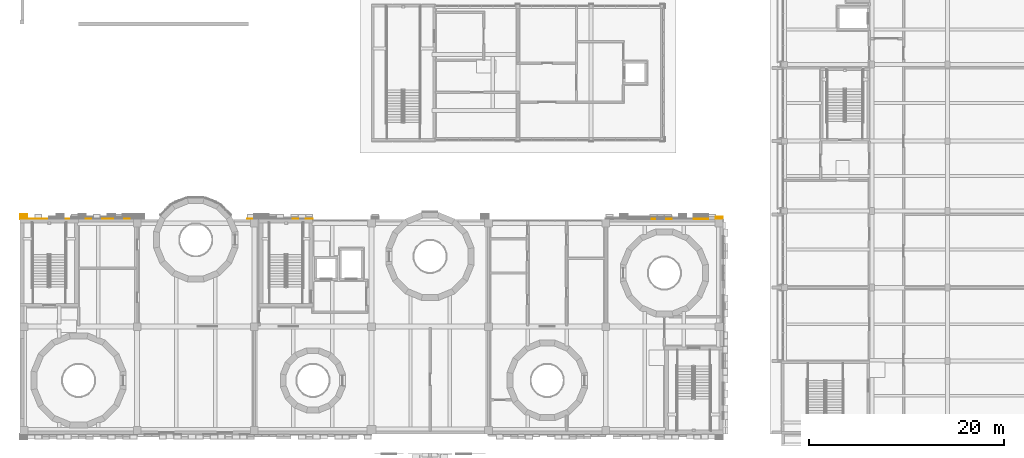
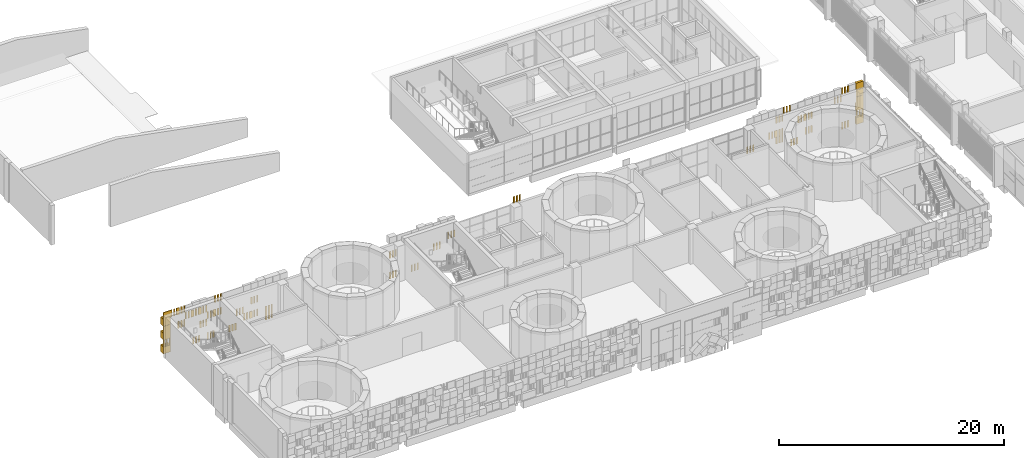
# One storey, part 67 of 92: 1 covering.
"""IFC4 building model written with IfcOpenShell, lengths in metres."""

from ifc_helpers import new_model, si_unit, direction, frame, origin, origin_2d, place, context, subcontext, project, spatial, rectangle, extrude, material, layer, layer_set, type_object, element, save


model = new_model("IFC4")

# Units and contexts
model_context = context("Model", 3, precision=1e-05, world=origin(), true_north=direction((0.0, 1.0)))
body_context = subcontext(model_context, "Body", "Model", "MODEL_VIEW")
ifc_project = project(units=[si_unit("LENGTHUNIT", "METRE"), si_unit("AREAUNIT", "SQUARE_METRE"), si_unit("VOLUMEUNIT", "CUBIC_METRE"), si_unit("PLANEANGLEUNIT", "RADIAN"), si_unit("MASSUNIT", "GRAM", prefix="KILO")], contexts=[model_context])

# Site, building, storey
site_placement = place(None, origin())
site = spatial("IfcSite", under=ifc_project, at=site_placement, CompositionType="ELEMENT")
building_placement = place(site_placement, origin())
building = spatial("IfcBuilding", under=site, at=building_placement, Name="Sun Court Science Centre", CompositionType="ELEMENT")
storey_placement = place(building_placement, frame((0.0, 0.0, 11.25)))
storey = spatial("IfcBuildingStorey", under=building, at=storey_placement, Name="L02", CompositionType="ELEMENT", Elevation=11.25)

# Covering
ifc_material = material(Name="Terracotta jali", Category="masonry")
ifc_layer = layer(ifc_material, 0.06005859375)
ifc_layer_set = layer_set([ifc_layer], Name="Terracotta jali")
covering_type = type_object("IfcCoveringType", Name="Terracotta open jali panel", PredefinedType="CLADDING", material=ifc_layer_set)
covering_placement = place(storey_placement, frame((0.0, 0.0, -11.25)))
element("IfcCovering", 1, at=covering_placement, inside=storey, type_object=covering_type, Name="Open jali pixel cladding north face L02", PredefinedType="CLADDING", context=body_context, shape_type="SweptSolid", body=[
    extrude(rectangle(XDim=0.139892578125, YDim=0.06005859375, at=origin_2d()), frame((3.074951171875, 28.030029296875, 11.2548828125), z_axis=(0.0, 0.0, 1.0), x_axis=(1.0, 0.0, 0.0)), (0.0, 0.0, 1.0), 0.739990234375),
    extrude(rectangle(XDim=0.139892578125, YDim=0.06005859375, at=origin_2d()), frame((3.375, 28.030029296875, 11.2548828125), z_axis=(0.0, 0.0, 1.0), x_axis=(1.0, 0.0, 0.0)), (0.0, 0.0, 1.0), 0.739990234375),
    extrude(rectangle(XDim=0.139892578125, YDim=0.06005859375, at=origin_2d()), frame((3.675048828125, 28.030029296875, 11.2548828125), z_axis=(0.0, 0.0, 1.0), x_axis=(1.0, 0.0, 0.0)), (0.0, 0.0, 1.0), 0.739990234375),
    extrude(rectangle(XDim=0.139892578125, YDim=0.06005859375, at=origin_2d()), frame((4.574951171875, 28.030029296875, 11.2548828125), z_axis=(0.0, 0.0, 1.0), x_axis=(1.0, 0.0, 0.0)), (0.0, 0.0, 1.0), 0.739990234375),
    extrude(rectangle(XDim=0.139892578125, YDim=0.06005859375, at=origin_2d()), frame((4.875, 28.030029296875, 11.2548828125), z_axis=(0.0, 0.0, 1.0), x_axis=(1.0, 0.0, 0.0)), (0.0, 0.0, 1.0), 0.739990234375),
    extrude(rectangle(XDim=0.139892578125, YDim=0.06005859375, at=origin_2d()), frame((5.175048828125, 28.030029296875, 11.2548828125), z_axis=(0.0, 0.0, 1.0), x_axis=(1.0, 0.0, 0.0)), (0.0, 0.0, 1.0), 0.739990234375),
    extrude(rectangle(XDim=0.139892578125, YDim=0.06005859375, at=origin_2d()), frame((6.824951171875, 28.030029296875, 11.2548828125), z_axis=(0.0, 0.0, 1.0), x_axis=(1.0, 0.0, 0.0)), (0.0, 0.0, 1.0), 0.739990234375),
    extrude(rectangle(XDim=0.139892578125, YDim=0.06005859375, at=origin_2d()), frame((7.125, 28.030029296875, 11.2548828125), z_axis=(0.0, 0.0, 1.0), x_axis=(1.0, 0.0, 0.0)), (0.0, 0.0, 1.0), 0.739990234375),
    extrude(rectangle(XDim=0.139892578125, YDim=0.06005859375, at=origin_2d()), frame((7.425048828125, 28.030029296875, 11.2548828125), z_axis=(0.0, 0.0, 1.0), x_axis=(1.0, 0.0, 0.0)), (0.0, 0.0, 1.0), 0.739990234375),
    extrude(rectangle(XDim=0.139892578125, YDim=0.06005859375, at=origin_2d()), frame((10.574951171875, 28.030029296875, 11.2548828125), z_axis=(0.0, 0.0, 1.0), x_axis=(1.0, 0.0, 0.0)), (0.0, 0.0, 1.0), 0.739990234375),
    extrude(rectangle(XDim=0.139892578125, YDim=0.06005859375, at=origin_2d()), frame((10.875, 28.030029296875, 11.2548828125), z_axis=(0.0, 0.0, 1.0), x_axis=(1.0, 0.0, 0.0)), (0.0, 0.0, 1.0), 0.739990234375),
    extrude(rectangle(XDim=0.139892578125, YDim=0.06005859375, at=origin_2d()), frame((11.175048828125, 28.030029296875, 11.2548828125), z_axis=(0.0, 0.0, 1.0), x_axis=(1.0, 0.0, 0.0)), (0.0, 0.0, 1.0), 0.739990234375),
    extrude(rectangle(XDim=0.139892578125, YDim=0.06005859375, at=origin_2d()), frame((23.324951171875, 28.030029296875, 11.2548828125), z_axis=(0.0, 0.0, 1.0), x_axis=(1.0, 0.0, 0.0)), (0.0, 0.0, 1.0), 0.739990234375),
    extrude(rectangle(XDim=0.139892578125, YDim=0.06005859375, at=origin_2d()), frame((23.625, 28.030029296875, 11.2548828125), z_axis=(0.0, 0.0, 1.0), x_axis=(1.0, 0.0, 0.0)), (0.0, 0.0, 1.0), 0.739990234375),
    extrude(rectangle(XDim=0.139892578125, YDim=0.06005859375, at=origin_2d()), frame((23.925048828125, 28.030029296875, 11.2548828125), z_axis=(0.0, 0.0, 1.0), x_axis=(1.0, 0.0, 0.0)), (0.0, 0.0, 1.0), 0.739990234375),
    extrude(rectangle(XDim=0.139892578125, YDim=0.06005859375, at=origin_2d()), frame((25.574951171875, 28.030029296875, 11.2548828125), z_axis=(0.0, 0.0, 1.0), x_axis=(1.0, 0.0, 0.0)), (0.0, 0.0, 1.0), 0.739990234375),
    extrude(rectangle(XDim=0.139892578125, YDim=0.06005859375, at=origin_2d()), frame((25.875, 28.030029296875, 11.2548828125), z_axis=(0.0, 0.0, 1.0), x_axis=(1.0, 0.0, 0.0)), (0.0, 0.0, 1.0), 0.739990234375),
    extrude(rectangle(XDim=0.139892578125, YDim=0.06005859375, at=origin_2d()), frame((26.175048828125, 28.030029296875, 11.2548828125), z_axis=(0.0, 0.0, 1.0), x_axis=(1.0, 0.0, 0.0)), (0.0, 0.0, 1.0), 0.739990234375),
    extrude(rectangle(XDim=0.139892578125, YDim=0.06005859375, at=origin_2d()), frame((64.574951171875, 28.030029296875, 11.2548828125), z_axis=(0.0, 0.0, 1.0), x_axis=(1.0, 0.0, 0.0)), (0.0, 0.0, 1.0), 0.739990234375),
    extrude(rectangle(XDim=0.139892578125, YDim=0.06005859375, at=origin_2d()), frame((64.875, 28.030029296875, 11.2548828125), z_axis=(0.0, 0.0, 1.0), x_axis=(1.0, 0.0, 0.0)), (0.0, 0.0, 1.0), 0.739990234375),
    extrude(rectangle(XDim=0.139892578125, YDim=0.06005859375, at=origin_2d()), frame((65.175048828125, 28.030029296875, 11.2548828125), z_axis=(0.0, 0.0, 1.0), x_axis=(1.0, 0.0, 0.0)), (0.0, 0.0, 1.0), 0.739990234375),
    extrude(rectangle(XDim=0.139892578125, YDim=0.06005859375, at=origin_2d()), frame((69.824951171875, 28.030029296875, 11.2548828125), z_axis=(0.0, 0.0, 1.0), x_axis=(1.0, 0.0, 0.0)), (0.0, 0.0, 1.0), 0.739990234375),
    extrude(rectangle(XDim=0.139892578125, YDim=0.06005859375, at=origin_2d()), frame((70.125, 28.030029296875, 11.2548828125), z_axis=(0.0, 0.0, 1.0), x_axis=(1.0, 0.0, 0.0)), (0.0, 0.0, 1.0), 0.739990234375),
    extrude(rectangle(XDim=0.139892578125, YDim=0.06005859375, at=origin_2d()), frame((70.425048828125, 28.030029296875, 11.2548828125), z_axis=(0.0, 0.0, 1.0), x_axis=(1.0, 0.0, 0.0)), (0.0, 0.0, 1.0), 0.739990234375),
    extrude(rectangle(XDim=0.139892578125, YDim=0.06005859375, at=origin_2d()), frame((0.074951171875, 28.030029296875, 12.0048828125), z_axis=(0.0, 0.0, 1.0), x_axis=(1.0, 0.0, 0.0)), (0.0, 0.0, 1.0), 0.739990234375),
    extrude(rectangle(XDim=0.139892578125, YDim=0.06005859375, at=origin_2d()), frame((0.375, 28.030029296875, 12.0048828125), z_axis=(0.0, 0.0, 1.0), x_axis=(1.0, 0.0, 0.0)), (0.0, 0.0, 1.0), 0.739990234375),
    extrude(rectangle(XDim=0.139892578125, YDim=0.06005859375, at=origin_2d()), frame((0.675048828125, 28.030029296875, 12.0048828125), z_axis=(0.0, 0.0, 1.0), x_axis=(1.0, 0.0, 0.0)), (0.0, 0.0, 1.0), 0.739990234375),
    extrude(rectangle(XDim=0.139892578125, YDim=0.06005859375, at=origin_2d()), frame((8.324951171875, 28.030029296875, 12.0048828125), z_axis=(0.0, 0.0, 1.0), x_axis=(1.0, 0.0, 0.0)), (0.0, 0.0, 1.0), 0.739990234375),
    extrude(rectangle(XDim=0.139892578125, YDim=0.06005859375, at=origin_2d()), frame((8.625, 28.030029296875, 12.0048828125), z_axis=(0.0, 0.0, 1.0), x_axis=(1.0, 0.0, 0.0)), (0.0, 0.0, 1.0), 0.739990234375),
    extrude(rectangle(XDim=0.139892578125, YDim=0.06005859375, at=origin_2d()), frame((8.925048828125, 28.030029296875, 12.0048828125), z_axis=(0.0, 0.0, 1.0), x_axis=(1.0, 0.0, 0.0)), (0.0, 0.0, 1.0), 0.739990234375),
    extrude(rectangle(XDim=0.139892578125, YDim=0.06005859375, at=origin_2d()), frame((9.074951171875, 28.030029296875, 12.0048828125), z_axis=(0.0, 0.0, 1.0), x_axis=(1.0, 0.0, 0.0)), (0.0, 0.0, 1.0), 0.739990234375),
    extrude(rectangle(XDim=0.139892578125, YDim=0.06005859375, at=origin_2d()), frame((9.375, 28.030029296875, 12.0048828125), z_axis=(0.0, 0.0, 1.0), x_axis=(1.0, 0.0, 0.0)), (0.0, 0.0, 1.0), 0.739990234375),
    extrude(rectangle(XDim=0.139892578125, YDim=0.06005859375, at=origin_2d()), frame((9.675048828125, 28.030029296875, 12.0048828125), z_axis=(0.0, 0.0, 1.0), x_axis=(1.0, 0.0, 0.0)), (0.0, 0.0, 1.0), 0.739990234375),
    extrude(rectangle(XDim=0.139892578125, YDim=0.06005859375, at=origin_2d()), frame((10.574951171875, 28.030029296875, 12.0048828125), z_axis=(0.0, 0.0, 1.0), x_axis=(1.0, 0.0, 0.0)), (0.0, 0.0, 1.0), 0.739990234375),
    extrude(rectangle(XDim=0.139892578125, YDim=0.06005859375, at=origin_2d()), frame((10.875, 28.030029296875, 12.0048828125), z_axis=(0.0, 0.0, 1.0), x_axis=(1.0, 0.0, 0.0)), (0.0, 0.0, 1.0), 0.739990234375),
    extrude(rectangle(XDim=0.139892578125, YDim=0.06005859375, at=origin_2d()), frame((11.175048828125, 28.030029296875, 12.0048828125), z_axis=(0.0, 0.0, 1.0), x_axis=(1.0, 0.0, 0.0)), (0.0, 0.0, 1.0), 0.739990234375),
    extrude(rectangle(XDim=0.139892578125, YDim=0.06005859375, at=origin_2d()), frame((60.074951171875, 28.030029296875, 12.0048828125), z_axis=(0.0, 0.0, 1.0), x_axis=(1.0, 0.0, 0.0)), (0.0, 0.0, 1.0), 0.739990234375),
    extrude(rectangle(XDim=0.139892578125, YDim=0.06005859375, at=origin_2d()), frame((60.375, 28.030029296875, 12.0048828125), z_axis=(0.0, 0.0, 1.0), x_axis=(1.0, 0.0, 0.0)), (0.0, 0.0, 1.0), 0.739990234375),
    extrude(rectangle(XDim=0.139892578125, YDim=0.06005859375, at=origin_2d()), frame((60.675048828125, 28.030029296875, 12.0048828125), z_axis=(0.0, 0.0, 1.0), x_axis=(1.0, 0.0, 0.0)), (0.0, 0.0, 1.0), 0.739990234375),
    extrude(rectangle(XDim=0.139892578125, YDim=0.06005859375, at=origin_2d()), frame((63.074951171875, 28.030029296875, 12.0048828125), z_axis=(0.0, 0.0, 1.0), x_axis=(1.0, 0.0, 0.0)), (0.0, 0.0, 1.0), 0.739990234375),
    extrude(rectangle(XDim=0.139892578125, YDim=0.06005859375, at=origin_2d()), frame((63.375, 28.030029296875, 12.0048828125), z_axis=(0.0, 0.0, 1.0), x_axis=(1.0, 0.0, 0.0)), (0.0, 0.0, 1.0), 0.739990234375),
    extrude(rectangle(XDim=0.139892578125, YDim=0.06005859375, at=origin_2d()), frame((63.675048828125, 28.030029296875, 12.0048828125), z_axis=(0.0, 0.0, 1.0), x_axis=(1.0, 0.0, 0.0)), (0.0, 0.0, 1.0), 0.739990234375),
    extrude(rectangle(XDim=0.139892578125, YDim=0.06005859375, at=origin_2d()), frame((66.074951171875, 28.030029296875, 12.0048828125), z_axis=(0.0, 0.0, 1.0), x_axis=(1.0, 0.0, 0.0)), (0.0, 0.0, 1.0), 0.739990234375),
    extrude(rectangle(XDim=0.139892578125, YDim=0.06005859375, at=origin_2d()), frame((66.375, 28.030029296875, 12.0048828125), z_axis=(0.0, 0.0, 1.0), x_axis=(1.0, 0.0, 0.0)), (0.0, 0.0, 1.0), 0.739990234375),
    extrude(rectangle(XDim=0.139892578125, YDim=0.06005859375, at=origin_2d()), frame((66.675048828125, 28.030029296875, 12.0048828125), z_axis=(0.0, 0.0, 1.0), x_axis=(1.0, 0.0, 0.0)), (0.0, 0.0, 1.0), 0.739990234375),
    extrude(rectangle(XDim=0.139892578125, YDim=0.06005859375, at=origin_2d()), frame((71.324951171875, 28.030029296875, 12.0048828125), z_axis=(0.0, 0.0, 1.0), x_axis=(1.0, 0.0, 0.0)), (0.0, 0.0, 1.0), 0.739990234375),
    extrude(rectangle(XDim=0.139892578125, YDim=0.06005859375, at=origin_2d()), frame((71.625, 28.030029296875, 12.0048828125), z_axis=(0.0, 0.0, 1.0), x_axis=(1.0, 0.0, 0.0)), (0.0, 0.0, 1.0), 0.739990234375),
    extrude(rectangle(XDim=0.139892578125, YDim=0.06005859375, at=origin_2d()), frame((71.925048828125, 28.030029296875, 12.0048828125), z_axis=(0.0, 0.0, 1.0), x_axis=(1.0, 0.0, 0.0)), (0.0, 0.0, 1.0), 0.739990234375),
    extrude(rectangle(XDim=0.139892578125, YDim=0.06005859375, at=origin_2d()), frame((3.824951171875, 28.030029296875, 12.7548828125), z_axis=(0.0, 0.0, 1.0), x_axis=(1.0, 0.0, 0.0)), (0.0, 0.0, 1.0), 0.739990234375),
    extrude(rectangle(XDim=0.139892578125, YDim=0.06005859375, at=origin_2d()), frame((4.125, 28.030029296875, 12.7548828125), z_axis=(0.0, 0.0, 1.0), x_axis=(1.0, 0.0, 0.0)), (0.0, 0.0, 1.0), 0.739990234375),
    extrude(rectangle(XDim=0.139892578125, YDim=0.06005859375, at=origin_2d()), frame((4.425048828125, 28.030029296875, 12.7548828125), z_axis=(0.0, 0.0, 1.0), x_axis=(1.0, 0.0, 0.0)), (0.0, 0.0, 1.0), 0.739990234375),
    extrude(rectangle(XDim=0.139892578125, YDim=0.06005859375, at=origin_2d()), frame((7.574951171875, 28.030029296875, 12.7548828125), z_axis=(0.0, 0.0, 1.0), x_axis=(1.0, 0.0, 0.0)), (0.0, 0.0, 1.0), 0.739990234375),
    extrude(rectangle(XDim=0.139892578125, YDim=0.06005859375, at=origin_2d()), frame((7.875, 28.030029296875, 12.7548828125), z_axis=(0.0, 0.0, 1.0), x_axis=(1.0, 0.0, 0.0)), (0.0, 0.0, 1.0), 0.739990234375),
    extrude(rectangle(XDim=0.139892578125, YDim=0.06005859375, at=origin_2d()), frame((8.175048828125, 28.030029296875, 12.7548828125), z_axis=(0.0, 0.0, 1.0), x_axis=(1.0, 0.0, 0.0)), (0.0, 0.0, 1.0), 0.739990234375),
    extrude(rectangle(XDim=0.139892578125, YDim=0.06005859375, at=origin_2d()), frame((27.824951171875, 28.030029296875, 12.7548828125), z_axis=(0.0, 0.0, 1.0), x_axis=(1.0, 0.0, 0.0)), (0.0, 0.0, 1.0), 0.739990234375),
    extrude(rectangle(XDim=0.139892578125, YDim=0.06005859375, at=origin_2d()), frame((28.125, 28.030029296875, 12.7548828125), z_axis=(0.0, 0.0, 1.0), x_axis=(1.0, 0.0, 0.0)), (0.0, 0.0, 1.0), 0.739990234375),
    extrude(rectangle(XDim=0.139892578125, YDim=0.06005859375, at=origin_2d()), frame((28.425048828125, 28.030029296875, 12.7548828125), z_axis=(0.0, 0.0, 1.0), x_axis=(1.0, 0.0, 0.0)), (0.0, 0.0, 1.0), 0.739990234375),
    extrude(rectangle(XDim=0.139892578125, YDim=0.06005859375, at=origin_2d()), frame((62.324951171875, 28.030029296875, 12.7548828125), z_axis=(0.0, 0.0, 1.0), x_axis=(1.0, 0.0, 0.0)), (0.0, 0.0, 1.0), 0.739990234375),
    extrude(rectangle(XDim=0.139892578125, YDim=0.06005859375, at=origin_2d()), frame((62.625, 28.030029296875, 12.7548828125), z_axis=(0.0, 0.0, 1.0), x_axis=(1.0, 0.0, 0.0)), (0.0, 0.0, 1.0), 0.739990234375),
    extrude(rectangle(XDim=0.139892578125, YDim=0.06005859375, at=origin_2d()), frame((62.925048828125, 28.030029296875, 12.7548828125), z_axis=(0.0, 0.0, 1.0), x_axis=(1.0, 0.0, 0.0)), (0.0, 0.0, 1.0), 0.739990234375),
    extrude(rectangle(XDim=0.139892578125, YDim=0.06005859375, at=origin_2d()), frame((63.074951171875, 28.030029296875, 12.7548828125), z_axis=(0.0, 0.0, 1.0), x_axis=(1.0, 0.0, 0.0)), (0.0, 0.0, 1.0), 0.739990234375),
    extrude(rectangle(XDim=0.139892578125, YDim=0.06005859375, at=origin_2d()), frame((63.375, 28.030029296875, 12.7548828125), z_axis=(0.0, 0.0, 1.0), x_axis=(1.0, 0.0, 0.0)), (0.0, 0.0, 1.0), 0.739990234375),
    extrude(rectangle(XDim=0.139892578125, YDim=0.06005859375, at=origin_2d()), frame((63.675048828125, 28.030029296875, 12.7548828125), z_axis=(0.0, 0.0, 1.0), x_axis=(1.0, 0.0, 0.0)), (0.0, 0.0, 1.0), 0.739990234375),
    extrude(rectangle(XDim=0.139892578125, YDim=0.06005859375, at=origin_2d()), frame((1.574951171875, 28.030029296875, 13.5048828125), z_axis=(0.0, 0.0, 1.0), x_axis=(1.0, 0.0, 0.0)), (0.0, 0.0, 1.0), 0.739990234375),
    extrude(rectangle(XDim=0.139892578125, YDim=0.06005859375, at=origin_2d()), frame((1.875, 28.030029296875, 13.5048828125), z_axis=(0.0, 0.0, 1.0), x_axis=(1.0, 0.0, 0.0)), (0.0, 0.0, 1.0), 0.739990234375),
    extrude(rectangle(XDim=0.139892578125, YDim=0.06005859375, at=origin_2d()), frame((2.175048828125, 28.030029296875, 13.5048828125), z_axis=(0.0, 0.0, 1.0), x_axis=(1.0, 0.0, 0.0)), (0.0, 0.0, 1.0), 0.739990234375),
    extrude(rectangle(XDim=0.139892578125, YDim=0.06005859375, at=origin_2d()), frame((4.574951171875, 28.030029296875, 13.5048828125), z_axis=(0.0, 0.0, 1.0), x_axis=(1.0, 0.0, 0.0)), (0.0, 0.0, 1.0), 0.739990234375),
    extrude(rectangle(XDim=0.139892578125, YDim=0.06005859375, at=origin_2d()), frame((4.875, 28.030029296875, 13.5048828125), z_axis=(0.0, 0.0, 1.0), x_axis=(1.0, 0.0, 0.0)), (0.0, 0.0, 1.0), 0.739990234375),
    extrude(rectangle(XDim=0.139892578125, YDim=0.06005859375, at=origin_2d()), frame((5.175048828125, 28.030029296875, 13.5048828125), z_axis=(0.0, 0.0, 1.0), x_axis=(1.0, 0.0, 0.0)), (0.0, 0.0, 1.0), 0.739990234375),
    extrude(rectangle(XDim=0.139892578125, YDim=0.06005859375, at=origin_2d()), frame((5.324951171875, 28.030029296875, 13.5048828125), z_axis=(0.0, 0.0, 1.0), x_axis=(1.0, 0.0, 0.0)), (0.0, 0.0, 1.0), 0.739990234375),
    extrude(rectangle(XDim=0.139892578125, YDim=0.06005859375, at=origin_2d()), frame((5.625, 28.030029296875, 13.5048828125), z_axis=(0.0, 0.0, 1.0), x_axis=(1.0, 0.0, 0.0)), (0.0, 0.0, 1.0), 0.739990234375),
    extrude(rectangle(XDim=0.139892578125, YDim=0.06005859375, at=origin_2d()), frame((5.925048828125, 28.030029296875, 13.5048828125), z_axis=(0.0, 0.0, 1.0), x_axis=(1.0, 0.0, 0.0)), (0.0, 0.0, 1.0), 0.739990234375),
    extrude(rectangle(XDim=0.139892578125, YDim=0.06005859375, at=origin_2d()), frame((9.074951171875, 28.030029296875, 13.5048828125), z_axis=(0.0, 0.0, 1.0), x_axis=(1.0, 0.0, 0.0)), (0.0, 0.0, 1.0), 0.739990234375),
    extrude(rectangle(XDim=0.139892578125, YDim=0.06005859375, at=origin_2d()), frame((9.375, 28.030029296875, 13.5048828125), z_axis=(0.0, 0.0, 1.0), x_axis=(1.0, 0.0, 0.0)), (0.0, 0.0, 1.0), 0.739990234375),
    extrude(rectangle(XDim=0.139892578125, YDim=0.06005859375, at=origin_2d()), frame((9.675048828125, 28.030029296875, 13.5048828125), z_axis=(0.0, 0.0, 1.0), x_axis=(1.0, 0.0, 0.0)), (0.0, 0.0, 1.0), 0.739990234375),
    extrude(rectangle(XDim=0.139892578125, YDim=0.06005859375, at=origin_2d()), frame((23.324951171875, 28.030029296875, 13.5048828125), z_axis=(0.0, 0.0, 1.0), x_axis=(1.0, 0.0, 0.0)), (0.0, 0.0, 1.0), 0.739990234375),
    extrude(rectangle(XDim=0.139892578125, YDim=0.06005859375, at=origin_2d()), frame((23.625, 28.030029296875, 13.5048828125), z_axis=(0.0, 0.0, 1.0), x_axis=(1.0, 0.0, 0.0)), (0.0, 0.0, 1.0), 0.739990234375),
    extrude(rectangle(XDim=0.139892578125, YDim=0.06005859375, at=origin_2d()), frame((23.925048828125, 28.030029296875, 13.5048828125), z_axis=(0.0, 0.0, 1.0), x_axis=(1.0, 0.0, 0.0)), (0.0, 0.0, 1.0), 0.739990234375),
    extrude(rectangle(XDim=0.139892578125, YDim=0.06005859375, at=origin_2d()), frame((29.324951171875, 28.030029296875, 13.5048828125), z_axis=(0.0, 0.0, 1.0), x_axis=(1.0, 0.0, 0.0)), (0.0, 0.0, 1.0), 0.739990234375),
    extrude(rectangle(XDim=0.139892578125, YDim=0.06005859375, at=origin_2d()), frame((29.625, 28.030029296875, 13.5048828125), z_axis=(0.0, 0.0, 1.0), x_axis=(1.0, 0.0, 0.0)), (0.0, 0.0, 1.0), 0.739990234375),
    extrude(rectangle(XDim=0.139892578125, YDim=0.06005859375, at=origin_2d()), frame((29.925048828125, 28.030029296875, 13.5048828125), z_axis=(0.0, 0.0, 1.0), x_axis=(1.0, 0.0, 0.0)), (0.0, 0.0, 1.0), 0.739990234375),
    extrude(rectangle(XDim=0.139892578125, YDim=0.06005859375, at=origin_2d()), frame((65.324951171875, 28.030029296875, 13.5048828125), z_axis=(0.0, 0.0, 1.0), x_axis=(1.0, 0.0, 0.0)), (0.0, 0.0, 1.0), 0.739990234375),
    extrude(rectangle(XDim=0.139892578125, YDim=0.06005859375, at=origin_2d()), frame((65.625, 28.030029296875, 13.5048828125), z_axis=(0.0, 0.0, 1.0), x_axis=(1.0, 0.0, 0.0)), (0.0, 0.0, 1.0), 0.739990234375),
    extrude(rectangle(XDim=0.139892578125, YDim=0.06005859375, at=origin_2d()), frame((65.925048828125, 28.030029296875, 13.5048828125), z_axis=(0.0, 0.0, 1.0), x_axis=(1.0, 0.0, 0.0)), (0.0, 0.0, 1.0), 0.739990234375),
    extrude(rectangle(XDim=0.139892578125, YDim=0.06005859375, at=origin_2d()), frame((66.074951171875, 28.030029296875, 13.5048828125), z_axis=(0.0, 0.0, 1.0), x_axis=(1.0, 0.0, 0.0)), (0.0, 0.0, 1.0), 0.739990234375),
    extrude(rectangle(XDim=0.139892578125, YDim=0.06005859375, at=origin_2d()), frame((66.375, 28.030029296875, 13.5048828125), z_axis=(0.0, 0.0, 1.0), x_axis=(1.0, 0.0, 0.0)), (0.0, 0.0, 1.0), 0.739990234375),
    extrude(rectangle(XDim=0.139892578125, YDim=0.06005859375, at=origin_2d()), frame((66.675048828125, 28.030029296875, 13.5048828125), z_axis=(0.0, 0.0, 1.0), x_axis=(1.0, 0.0, 0.0)), (0.0, 0.0, 1.0), 0.739990234375),
    extrude(rectangle(XDim=0.139892578125, YDim=0.06005859375, at=origin_2d()), frame((2.324951171875, 28.030029296875, 14.2548828125), z_axis=(0.0, 0.0, 1.0), x_axis=(1.0, 0.0, 0.0)), (0.0, 0.0, 1.0), 0.739990234375),
    extrude(rectangle(XDim=0.139892578125, YDim=0.06005859375, at=origin_2d()), frame((2.625, 28.030029296875, 14.2548828125), z_axis=(0.0, 0.0, 1.0), x_axis=(1.0, 0.0, 0.0)), (0.0, 0.0, 1.0), 0.739990234375),
    extrude(rectangle(XDim=0.139892578125, YDim=0.06005859375, at=origin_2d()), frame((2.925048828125, 28.030029296875, 14.2548828125), z_axis=(0.0, 0.0, 1.0), x_axis=(1.0, 0.0, 0.0)), (0.0, 0.0, 1.0), 0.739990234375),
    extrude(rectangle(XDim=0.139892578125, YDim=0.06005859375, at=origin_2d()), frame((3.074951171875, 28.030029296875, 14.2548828125), z_axis=(0.0, 0.0, 1.0), x_axis=(1.0, 0.0, 0.0)), (0.0, 0.0, 1.0), 0.739990234375),
    extrude(rectangle(XDim=0.139892578125, YDim=0.06005859375, at=origin_2d()), frame((3.375, 28.030029296875, 14.2548828125), z_axis=(0.0, 0.0, 1.0), x_axis=(1.0, 0.0, 0.0)), (0.0, 0.0, 1.0), 0.739990234375),
    extrude(rectangle(XDim=0.139892578125, YDim=0.06005859375, at=origin_2d()), frame((3.675048828125, 28.030029296875, 14.2548828125), z_axis=(0.0, 0.0, 1.0), x_axis=(1.0, 0.0, 0.0)), (0.0, 0.0, 1.0), 0.739990234375),
    extrude(rectangle(XDim=0.139892578125, YDim=0.06005859375, at=origin_2d()), frame((3.824951171875, 28.030029296875, 14.2548828125), z_axis=(0.0, 0.0, 1.0), x_axis=(1.0, 0.0, 0.0)), (0.0, 0.0, 1.0), 0.739990234375),
    extrude(rectangle(XDim=0.139892578125, YDim=0.06005859375, at=origin_2d()), frame((4.125, 28.030029296875, 14.2548828125), z_axis=(0.0, 0.0, 1.0), x_axis=(1.0, 0.0, 0.0)), (0.0, 0.0, 1.0), 0.739990234375),
    extrude(rectangle(XDim=0.139892578125, YDim=0.06005859375, at=origin_2d()), frame((4.425048828125, 28.030029296875, 14.2548828125), z_axis=(0.0, 0.0, 1.0), x_axis=(1.0, 0.0, 0.0)), (0.0, 0.0, 1.0), 0.739990234375),
    extrude(rectangle(XDim=0.139892578125, YDim=0.06005859375, at=origin_2d()), frame((63.074951171875, 28.030029296875, 14.2548828125), z_axis=(0.0, 0.0, 1.0), x_axis=(1.0, 0.0, 0.0)), (0.0, 0.0, 1.0), 0.739990234375),
    extrude(rectangle(XDim=0.139892578125, YDim=0.06005859375, at=origin_2d()), frame((63.375, 28.030029296875, 14.2548828125), z_axis=(0.0, 0.0, 1.0), x_axis=(1.0, 0.0, 0.0)), (0.0, 0.0, 1.0), 0.739990234375),
    extrude(rectangle(XDim=0.139892578125, YDim=0.06005859375, at=origin_2d()), frame((63.675048828125, 28.030029296875, 14.2548828125), z_axis=(0.0, 0.0, 1.0), x_axis=(1.0, 0.0, 0.0)), (0.0, 0.0, 1.0), 0.739990234375),
    extrude(rectangle(XDim=0.139892578125, YDim=0.06005859375, at=origin_2d()), frame((69.074951171875, 28.030029296875, 14.2548828125), z_axis=(0.0, 0.0, 1.0), x_axis=(1.0, 0.0, 0.0)), (0.0, 0.0, 1.0), 0.739990234375),
    extrude(rectangle(XDim=0.139892578125, YDim=0.06005859375, at=origin_2d()), frame((69.375, 28.030029296875, 14.2548828125), z_axis=(0.0, 0.0, 1.0), x_axis=(1.0, 0.0, 0.0)), (0.0, 0.0, 1.0), 0.739990234375),
    extrude(rectangle(XDim=0.139892578125, YDim=0.06005859375, at=origin_2d()), frame((69.675048828125, 28.030029296875, 14.2548828125), z_axis=(0.0, 0.0, 1.0), x_axis=(1.0, 0.0, 0.0)), (0.0, 0.0, 1.0), 0.739990234375),
    extrude(rectangle(XDim=0.139892578125, YDim=0.06005859375, at=origin_2d()), frame((0.824951171875, 28.030029296875, 15.0048828125), z_axis=(0.0, 0.0, 1.0), x_axis=(1.0, 0.0, 0.0)), (0.0, 0.0, 1.0), 0.739990234375),
    extrude(rectangle(XDim=0.139892578125, YDim=0.06005859375, at=origin_2d()), frame((1.125, 28.030029296875, 15.0048828125), z_axis=(0.0, 0.0, 1.0), x_axis=(1.0, 0.0, 0.0)), (0.0, 0.0, 1.0), 0.739990234375),
    extrude(rectangle(XDim=0.139892578125, YDim=0.06005859375, at=origin_2d()), frame((1.425048828125, 28.030029296875, 15.0048828125), z_axis=(0.0, 0.0, 1.0), x_axis=(1.0, 0.0, 0.0)), (0.0, 0.0, 1.0), 0.739990234375),
    extrude(rectangle(XDim=0.139892578125, YDim=0.06005859375, at=origin_2d()), frame((1.574951171875, 28.030029296875, 15.0048828125), z_axis=(0.0, 0.0, 1.0), x_axis=(1.0, 0.0, 0.0)), (0.0, 0.0, 1.0), 0.739990234375),
    extrude(rectangle(XDim=0.139892578125, YDim=0.06005859375, at=origin_2d()), frame((1.875, 28.030029296875, 15.0048828125), z_axis=(0.0, 0.0, 1.0), x_axis=(1.0, 0.0, 0.0)), (0.0, 0.0, 1.0), 0.739990234375),
    extrude(rectangle(XDim=0.139892578125, YDim=0.06005859375, at=origin_2d()), frame((2.175048828125, 28.030029296875, 15.0048828125), z_axis=(0.0, 0.0, 1.0), x_axis=(1.0, 0.0, 0.0)), (0.0, 0.0, 1.0), 0.739990234375),
    extrude(rectangle(XDim=0.139892578125, YDim=0.06005859375, at=origin_2d()), frame((5.324951171875, 28.030029296875, 15.0048828125), z_axis=(0.0, 0.0, 1.0), x_axis=(1.0, 0.0, 0.0)), (0.0, 0.0, 1.0), 0.739990234375),
    extrude(rectangle(XDim=0.139892578125, YDim=0.06005859375, at=origin_2d()), frame((5.625, 28.030029296875, 15.0048828125), z_axis=(0.0, 0.0, 1.0), x_axis=(1.0, 0.0, 0.0)), (0.0, 0.0, 1.0), 0.739990234375),
    extrude(rectangle(XDim=0.139892578125, YDim=0.06005859375, at=origin_2d()), frame((5.925048828125, 28.030029296875, 15.0048828125), z_axis=(0.0, 0.0, 1.0), x_axis=(1.0, 0.0, 0.0)), (0.0, 0.0, 1.0), 0.739990234375),
    extrude(rectangle(XDim=0.139892578125, YDim=0.06005859375, at=origin_2d()), frame((36.074951171875, 28.030029296875, 15.0048828125), z_axis=(0.0, 0.0, 1.0), x_axis=(1.0, 0.0, 0.0)), (0.0, 0.0, 1.0), 0.739990234375),
    extrude(rectangle(XDim=0.139892578125, YDim=0.06005859375, at=origin_2d()), frame((36.375, 28.030029296875, 15.0048828125), z_axis=(0.0, 0.0, 1.0), x_axis=(1.0, 0.0, 0.0)), (0.0, 0.0, 1.0), 0.739990234375),
    extrude(rectangle(XDim=0.139892578125, YDim=0.06005859375, at=origin_2d()), frame((36.675048828125, 28.030029296875, 15.0048828125), z_axis=(0.0, 0.0, 1.0), x_axis=(1.0, 0.0, 0.0)), (0.0, 0.0, 1.0), 0.739990234375),
    extrude(rectangle(XDim=0.139892578125, YDim=0.06005859375, at=origin_2d()), frame((63.824951171875, 28.030029296875, 15.0048828125), z_axis=(0.0, 0.0, 1.0), x_axis=(1.0, 0.0, 0.0)), (0.0, 0.0, 1.0), 0.739990234375),
    extrude(rectangle(XDim=0.139892578125, YDim=0.06005859375, at=origin_2d()), frame((64.125, 28.030029296875, 15.0048828125), z_axis=(0.0, 0.0, 1.0), x_axis=(1.0, 0.0, 0.0)), (0.0, 0.0, 1.0), 0.739990234375),
    extrude(rectangle(XDim=0.139892578125, YDim=0.06005859375, at=origin_2d()), frame((64.425048828125, 28.030029296875, 15.0048828125), z_axis=(0.0, 0.0, 1.0), x_axis=(1.0, 0.0, 0.0)), (0.0, 0.0, 1.0), 0.739990234375),
    extrude(rectangle(XDim=0.139892578125, YDim=0.06005859375, at=origin_2d()), frame((69.824951171875, 28.030029296875, 15.0048828125), z_axis=(0.0, 0.0, 1.0), x_axis=(1.0, 0.0, 0.0)), (0.0, 0.0, 1.0), 0.739990234375),
    extrude(rectangle(XDim=0.139892578125, YDim=0.06005859375, at=origin_2d()), frame((70.125, 28.030029296875, 15.0048828125), z_axis=(0.0, 0.0, 1.0), x_axis=(1.0, 0.0, 0.0)), (0.0, 0.0, 1.0), 0.739990234375),
    extrude(rectangle(XDim=0.139892578125, YDim=0.06005859375, at=origin_2d()), frame((70.425048828125, 28.030029296875, 15.0048828125), z_axis=(0.0, 0.0, 1.0), x_axis=(1.0, 0.0, 0.0)), (0.0, 0.0, 1.0), 0.739990234375),
    extrude(rectangle(XDim=0.739990234375, YDim=0.510009765625, at=origin_2d()), frame((0.375, 28.2548828125, 11.2548828125), z_axis=(0.0, 0.0, 1.0), x_axis=(1.0, 0.0, 0.0)), (0.0, 0.0, 1.0), 0.739990234375),
    extrude(rectangle(XDim=0.739990234375, YDim=0.510009765625, at=origin_2d()), frame((0.375, 28.2548828125, 14.2548828125), z_axis=(0.0, 0.0, 1.0), x_axis=(1.0, 0.0, 0.0)), (0.0, 0.0, 1.0), 0.739990234375),
    extrude(rectangle(XDim=0.739990234375, YDim=0.06005859375, at=origin_2d()), frame((0.375, 28.030029296875, 15.0048828125), z_axis=(0.0, 0.0, 1.0), x_axis=(1.0, 0.0, 0.0)), (0.0, 0.0, 1.0), 0.739990234375),
    extrude(rectangle(XDim=0.739990234375, YDim=0.06005859375, at=origin_2d()), frame((71.625, 28.030029296875, 14.2548828125), z_axis=(0.0, 0.0, 1.0), x_axis=(1.0, 0.0, 0.0)), (0.0, 0.0, 1.0), 0.739990234375),
    extrude(rectangle(XDim=0.739990234375, YDim=0.510009765625, at=origin_2d()), frame((0.375, 28.2548828125, 12.7548828125), z_axis=(0.0, 0.0, 1.0), x_axis=(1.0, 0.0, 0.0)), (0.0, 0.0, 1.0), 0.739990234375),
    extrude(rectangle(XDim=0.739990234375, YDim=0.260009765625, at=origin_2d()), frame((71.625, 28.1298828125, 11.2548828125), z_axis=(0.0, 0.0, 1.0), x_axis=(1.0, 0.0, 0.0)), (0.0, 0.0, 1.0), 0.739990234375),
    extrude(rectangle(XDim=0.739990234375, YDim=0.06005859375, at=origin_2d()), frame((71.625, 28.030029296875, 13.5048828125), z_axis=(0.0, 0.0, 1.0), x_axis=(1.0, 0.0, 0.0)), (0.0, 0.0, 1.0), 0.739990234375),
    extrude(rectangle(XDim=0.739990234375, YDim=0.06005859375, at=origin_2d()), frame((0.375, 28.030029296875, 13.5048828125), z_axis=(0.0, 0.0, 1.0), x_axis=(1.0, 0.0, 0.0)), (0.0, 0.0, 1.0), 0.739990234375),
    extrude(rectangle(XDim=0.739990234375, YDim=0.260009765625, at=origin_2d()), frame((71.625, 28.1298828125, 12.7548828125), z_axis=(0.0, 0.0, 1.0), x_axis=(1.0, 0.0, 0.0)), (0.0, 0.0, 1.0), 0.739990234375),
    extrude(rectangle(XDim=0.739990234375, YDim=0.260009765625, at=origin_2d()), frame((71.625, 28.1298828125, 15.0048828125), z_axis=(0.0, 0.0, 1.0), x_axis=(1.0, 0.0, 0.0)), (0.0, 0.0, 1.0), 0.739990234375),
])

save(model, "model.ifc")
